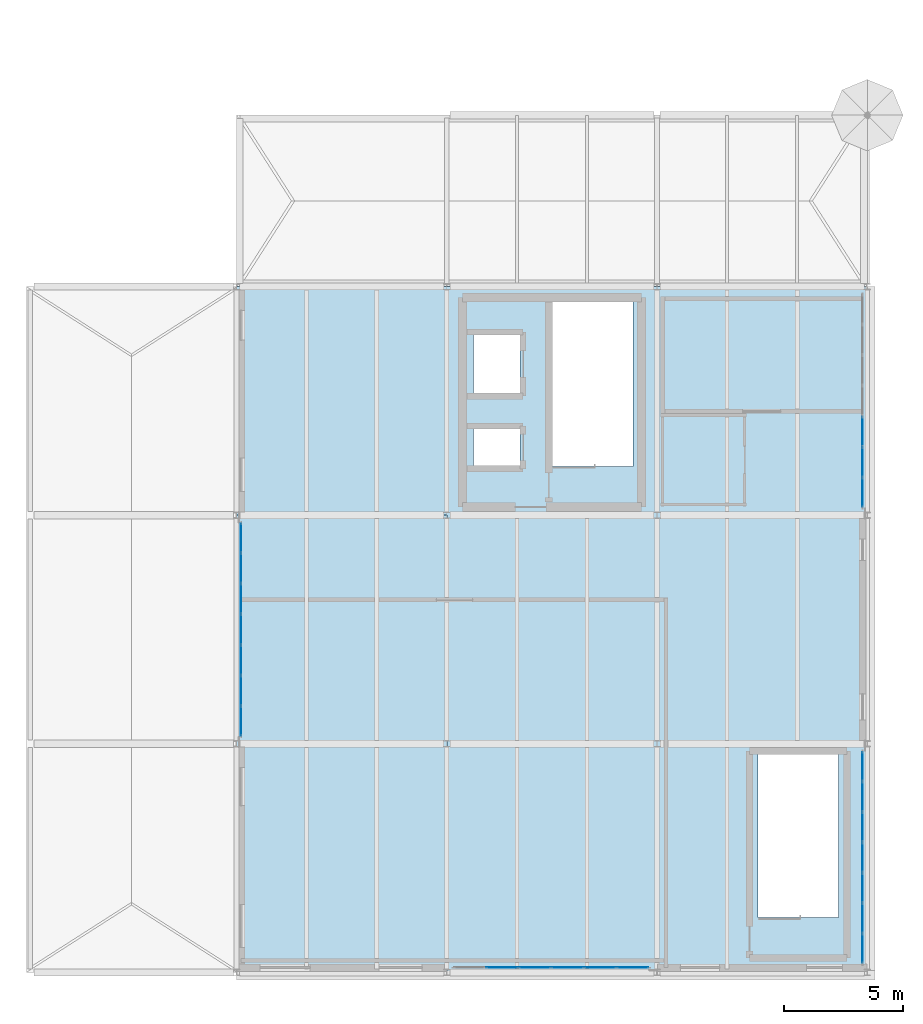
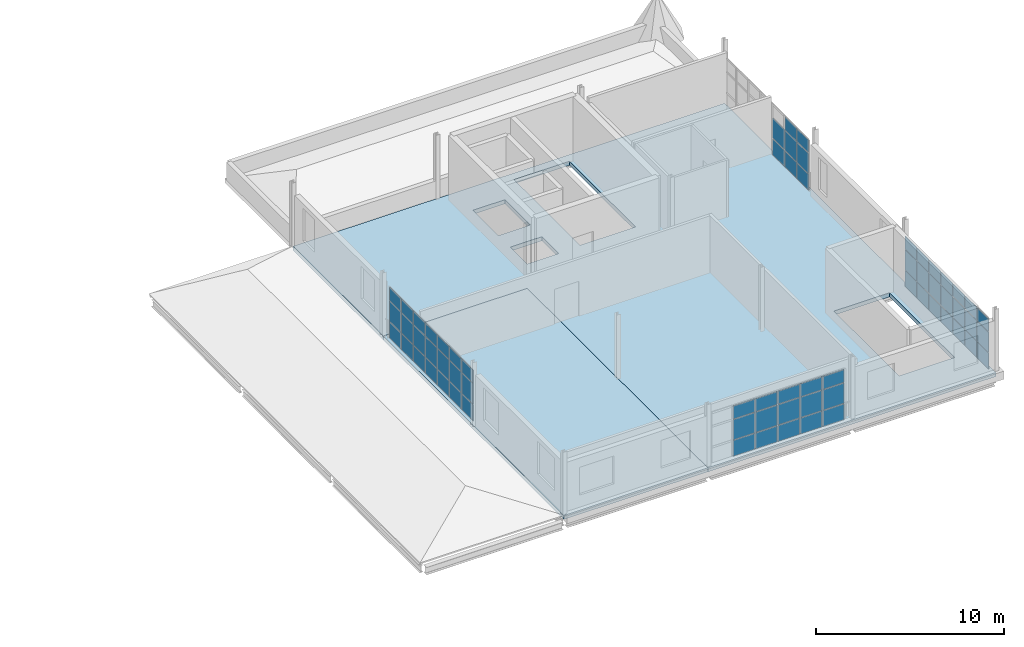
# One storey, part 19 of 28: 65 plates, 2 slabs, 4 elements without a shape of their own.
"""IFC4 building model written with IfcOpenShell, lengths in metres."""

from ifc_helpers import new_model, si_unit, direction, frame, origin, origin_2d, place, context, subcontext, project, spatial, polyline, rectangle, outline, extrude, material, layer, layer_set, type_object, element, aggregate, save


model = new_model("IFC4")

# Units and contexts
model_context = context("Model", 3, precision=1e-05, world=origin(), true_north=direction((0.0, 1.0)))
body_context = subcontext(model_context, "Body", "Model", "MODEL_VIEW")
ifc_project = project(units=[si_unit("LENGTHUNIT", "METRE"), si_unit("AREAUNIT", "SQUARE_METRE"), si_unit("VOLUMEUNIT", "CUBIC_METRE"), si_unit("PLANEANGLEUNIT", "RADIAN"), si_unit("MASSUNIT", "GRAM", prefix="KILO")], contexts=[model_context])

# Site, building, storey
site_placement = place(None, origin())
site = spatial("IfcSite", under=ifc_project, at=site_placement, CompositionType="ELEMENT")
building_placement = place(site_placement, origin())
building = spatial("IfcBuilding", under=site, at=building_placement, Name="Yeouljin Market Hall", CompositionType="ELEMENT")
storey_placement = place(building_placement, frame((0.0, 0.0, 15.0)))
storey = spatial("IfcBuildingStorey", under=building, at=storey_placement, Name="L03", CompositionType="ELEMENT", Elevation=15.0)

# Curtain wall, plates
ifc_material_1 = material(Name="Thermally Broken Aluminium", Category="aluminium")
ifc_layer_1 = layer(ifc_material_1, 0.14990234375)
ifc_layer_set_1 = layer_set([ifc_layer_1], Name="Thermally Broken Aluminium")
curtain_wall_type = type_object("IfcCurtainWallType", Name="CW_AcademyRibbon_System", PredefinedType="USERDEFINED", material=ifc_layer_set_1)
curtain_wall_1_placement = place(storey_placement, origin())
curtain_wall_1 = element("IfcCurtainWall", 1, at=curtain_wall_1_placement, inside=storey, type_object=curtain_wall_type, Name="Curtain wall CW-L03-W11", ObjectType="CURTAIN WALL", PredefinedType="USERDEFINED")
ifc_material_2 = material(Name="Low-E Insulated Glass", Category="glass")
ifc_layer_2 = layer(ifc_material_2, 0.028076171875)
ifc_layer_set_2 = layer_set([ifc_layer_2], Name="Low-E Insulated Glass")
plate_type = type_object("IfcPlateType", Name="CWPanel_LowE_28", PredefinedType="CURTAIN_PANEL", material=ifc_layer_set_2)
plate_1_placement = place(storey_placement, frame((166.550537109375, 0.199951171875, 0.0478515625), z_axis=(0.0, 0.0, 1.0), x_axis=(-1.0, 0.0, 0.0)))
plate_1 = element("IfcPlate", 2, at=plate_1_placement, type_object=plate_type, Name="CW-05 panel 1.1", PredefinedType="CURTAIN_PANEL", context=body_context, shape_type="SweptSolid", body=[
    extrude(rectangle(XDim=1.302978515625, YDim=0.028076171875, at=origin_2d()), origin(), (0.0, 0.0, 1.0), 1.028076171875),
])
plate_2_placement = place(storey_placement, frame((166.550537109375, 0.199951171875, 1.1240234375), z_axis=(0.0, 0.0, 1.0), x_axis=(-1.0, 0.0, 0.0)))
plate_2 = element("IfcPlate", 3, at=plate_2_placement, type_object=plate_type, Name="CW-05 panel 1.2", PredefinedType="CURTAIN_PANEL", context=body_context, shape_type="SweptSolid", body=[
    extrude(rectangle(XDim=1.302978515625, YDim=0.028076171875, at=origin_2d()), origin(), (0.0, 0.0, 1.0), 1.302001953125),
])
plate_3_placement = place(storey_placement, frame((166.550537109375, 0.199951171875, 2.47412109375), z_axis=(0.0, 0.0, 1.0), x_axis=(-1.0, 0.0, 0.0)))
plate_3 = element("IfcPlate", 4, at=plate_3_placement, type_object=plate_type, Name="CW-05 panel 1.3", PredefinedType="CURTAIN_PANEL", context=body_context, shape_type="SweptSolid", body=[
    extrude(rectangle(XDim=1.302978515625, YDim=0.028076171875, at=origin_2d()), origin(), (0.0, 0.0, 1.0), 0.827880859375),
])
plate_4_placement = place(storey_placement, frame((165.1875, 0.199951171875, 0.0478515625), z_axis=(0.0, 0.0, 1.0), x_axis=(-1.0, 0.0, 0.0)))
plate_4 = element("IfcPlate", 5, at=plate_4_placement, type_object=plate_type, Name="CW-05 panel 2.1", PredefinedType="CURTAIN_PANEL", context=body_context, shape_type="SweptSolid", body=[
    extrude(rectangle(XDim=1.326904296875, YDim=0.028076171875, at=origin_2d()), origin(), (0.0, 0.0, 1.0), 1.028076171875),
])
plate_5_placement = place(storey_placement, frame((165.1875, 0.199951171875, 1.1240234375), z_axis=(0.0, 0.0, 1.0), x_axis=(-1.0, 0.0, 0.0)))
plate_5 = element("IfcPlate", 6, at=plate_5_placement, type_object=plate_type, Name="CW-05 panel 2.2", PredefinedType="CURTAIN_PANEL", context=body_context, shape_type="SweptSolid", body=[
    extrude(rectangle(XDim=1.326904296875, YDim=0.028076171875, at=origin_2d()), origin(), (0.0, 0.0, 1.0), 1.302001953125),
])
plate_6_placement = place(storey_placement, frame((165.1875, 0.199951171875, 2.47412109375), z_axis=(0.0, 0.0, 1.0), x_axis=(-1.0, 0.0, 0.0)))
plate_6 = element("IfcPlate", 7, at=plate_6_placement, type_object=plate_type, Name="CW-05 panel 2.3", PredefinedType="CURTAIN_PANEL", context=body_context, shape_type="SweptSolid", body=[
    extrude(rectangle(XDim=1.326904296875, YDim=0.028076171875, at=origin_2d()), origin(), (0.0, 0.0, 1.0), 0.827880859375),
])
plate_7_placement = place(storey_placement, frame((163.8125, 0.199951171875, 0.0478515625), z_axis=(0.0, 0.0, 1.0), x_axis=(-1.0, 0.0, 0.0)))
plate_7 = element("IfcPlate", 8, at=plate_7_placement, type_object=plate_type, Name="CW-05 panel 3.1", PredefinedType="CURTAIN_PANEL", context=body_context, shape_type="SweptSolid", body=[
    extrude(rectangle(XDim=1.326904296875, YDim=0.028076171875, at=origin_2d()), origin(), (0.0, 0.0, 1.0), 1.028076171875),
])
plate_8_placement = place(storey_placement, frame((163.8125, 0.199951171875, 1.1240234375), z_axis=(0.0, 0.0, 1.0), x_axis=(-1.0, 0.0, 0.0)))
plate_8 = element("IfcPlate", 9, at=plate_8_placement, type_object=plate_type, Name="CW-05 panel 3.2", PredefinedType="CURTAIN_PANEL", context=body_context, shape_type="SweptSolid", body=[
    extrude(rectangle(XDim=1.326904296875, YDim=0.028076171875, at=origin_2d()), origin(), (0.0, 0.0, 1.0), 1.302001953125),
])
plate_9_placement = place(storey_placement, frame((163.8125, 0.199951171875, 2.47412109375), z_axis=(0.0, 0.0, 1.0), x_axis=(-1.0, 0.0, 0.0)))
plate_9 = element("IfcPlate", 10, at=plate_9_placement, type_object=plate_type, Name="CW-05 panel 3.3", PredefinedType="CURTAIN_PANEL", context=body_context, shape_type="SweptSolid", body=[
    extrude(rectangle(XDim=1.326904296875, YDim=0.028076171875, at=origin_2d()), origin(), (0.0, 0.0, 1.0), 0.827880859375),
])
plate_10_placement = place(storey_placement, frame((162.4375, 0.199951171875, 0.0478515625), z_axis=(0.0, 0.0, 1.0), x_axis=(-1.0, 0.0, 0.0)))
plate_10 = element("IfcPlate", 11, at=plate_10_placement, type_object=plate_type, Name="CW-05 panel 4.1", PredefinedType="CURTAIN_PANEL", context=body_context, shape_type="SweptSolid", body=[
    extrude(rectangle(XDim=1.326904296875, YDim=0.028076171875, at=origin_2d()), origin(), (0.0, 0.0, 1.0), 1.028076171875),
])
plate_11_placement = place(storey_placement, frame((162.4375, 0.199951171875, 1.1240234375), z_axis=(0.0, 0.0, 1.0), x_axis=(-1.0, 0.0, 0.0)))
plate_11 = element("IfcPlate", 12, at=plate_11_placement, type_object=plate_type, Name="CW-05 panel 4.2", PredefinedType="CURTAIN_PANEL", context=body_context, shape_type="SweptSolid", body=[
    extrude(rectangle(XDim=1.326904296875, YDim=0.028076171875, at=origin_2d()), origin(), (0.0, 0.0, 1.0), 1.302001953125),
])
plate_12_placement = place(storey_placement, frame((162.4375, 0.199951171875, 2.47412109375), z_axis=(0.0, 0.0, 1.0), x_axis=(-1.0, 0.0, 0.0)))
plate_12 = element("IfcPlate", 13, at=plate_12_placement, type_object=plate_type, Name="CW-05 panel 4.3", PredefinedType="CURTAIN_PANEL", context=body_context, shape_type="SweptSolid", body=[
    extrude(rectangle(XDim=1.326904296875, YDim=0.028076171875, at=origin_2d()), origin(), (0.0, 0.0, 1.0), 0.827880859375),
])
plate_13_placement = place(storey_placement, frame((161.0625, 0.199951171875, 0.0478515625), z_axis=(0.0, 0.0, 1.0), x_axis=(-1.0, 0.0, 0.0)))
plate_13 = element("IfcPlate", 14, at=plate_13_placement, type_object=plate_type, Name="CW-05 panel 5.1", PredefinedType="CURTAIN_PANEL", context=body_context, shape_type="SweptSolid", body=[
    extrude(rectangle(XDim=1.326904296875, YDim=0.028076171875, at=origin_2d()), origin(), (0.0, 0.0, 1.0), 1.028076171875),
])
plate_14_placement = place(storey_placement, frame((161.0625, 0.199951171875, 1.1240234375), z_axis=(0.0, 0.0, 1.0), x_axis=(-1.0, 0.0, 0.0)))
plate_14 = element("IfcPlate", 15, at=plate_14_placement, type_object=plate_type, Name="CW-05 panel 5.2", PredefinedType="CURTAIN_PANEL", context=body_context, shape_type="SweptSolid", body=[
    extrude(rectangle(XDim=1.326904296875, YDim=0.028076171875, at=origin_2d()), origin(), (0.0, 0.0, 1.0), 1.302001953125),
])
plate_15_placement = place(storey_placement, frame((161.0625, 0.199951171875, 2.47412109375), z_axis=(0.0, 0.0, 1.0), x_axis=(-1.0, 0.0, 0.0)))
plate_15 = element("IfcPlate", 16, at=plate_15_placement, type_object=plate_type, Name="CW-05 panel 5.3", PredefinedType="CURTAIN_PANEL", context=body_context, shape_type="SweptSolid", body=[
    extrude(rectangle(XDim=1.326904296875, YDim=0.028076171875, at=origin_2d()), origin(), (0.0, 0.0, 1.0), 0.827880859375),
])
aggregate(curtain_wall_1, [plate_1, plate_2, plate_3, plate_4, plate_5, plate_6, plate_7, plate_8, plate_9, plate_10, plate_11, plate_12, plate_13, plate_14, plate_15])

curtain_wall_2_placement = place(storey_placement, origin())
curtain_wall_2 = element("IfcCurtainWall", 17, at=curtain_wall_2_placement, inside=storey, type_object=curtain_wall_type, Name="Curtain wall CW-L03-W13", ObjectType="CURTAIN WALL", PredefinedType="USERDEFINED")
plate_16_placement = place(storey_placement, frame((176.199951171875, 22.71435546875, 0.0478515625), z_axis=(0.0, 0.0, 1.0), x_axis=(0.0, -1.0, 0.0)))
plate_16 = element("IfcPlate", 18, at=plate_16_placement, type_object=plate_type, Name="CW-05 panel 5.1", PredefinedType="CURTAIN_PANEL", context=body_context, shape_type="SweptSolid", body=[
    extrude(rectangle(XDim=1.23779296875, YDim=0.028076171875, at=origin_2d()), origin(), (0.0, 0.0, 1.0), 1.028076171875),
])
plate_17_placement = place(storey_placement, frame((176.199951171875, 22.71435546875, 1.1240234375), z_axis=(0.0, 0.0, 1.0), x_axis=(0.0, -1.0, 0.0)))
plate_17 = element("IfcPlate", 19, at=plate_17_placement, type_object=plate_type, Name="CW-05 panel 5.2", PredefinedType="CURTAIN_PANEL", context=body_context, shape_type="SweptSolid", body=[
    extrude(rectangle(XDim=1.23779296875, YDim=0.028076171875, at=origin_2d()), origin(), (0.0, 0.0, 1.0), 1.302001953125),
])
plate_18_placement = place(storey_placement, frame((176.199951171875, 21.428466796875, 0.0478515625), z_axis=(0.0, 0.0, 1.0), x_axis=(0.0, -1.0, 0.0)))
plate_18 = element("IfcPlate", 20, at=plate_18_placement, type_object=plate_type, Name="CW-05 panel 6.1", PredefinedType="CURTAIN_PANEL", context=body_context, shape_type="SweptSolid", body=[
    extrude(rectangle(XDim=1.23779296875, YDim=0.028076171875, at=origin_2d()), origin(), (0.0, 0.0, 1.0), 1.028076171875),
])
plate_19_placement = place(storey_placement, frame((176.199951171875, 21.428466796875, 1.1240234375), z_axis=(0.0, 0.0, 1.0), x_axis=(0.0, -1.0, 0.0)))
plate_19 = element("IfcPlate", 21, at=plate_19_placement, type_object=plate_type, Name="CW-05 panel 6.2", PredefinedType="CURTAIN_PANEL", context=body_context, shape_type="SweptSolid", body=[
    extrude(rectangle(XDim=1.23779296875, YDim=0.028076171875, at=origin_2d()), origin(), (0.0, 0.0, 1.0), 1.302001953125),
])
plate_20_placement = place(storey_placement, frame((176.199951171875, 21.428466796875, 2.47412109375), z_axis=(0.0, 0.0, 1.0), x_axis=(0.0, -1.0, 0.0)))
plate_20 = element("IfcPlate", 22, at=plate_20_placement, type_object=plate_type, Name="CW-05 panel 6.3", PredefinedType="CURTAIN_PANEL", context=body_context, shape_type="SweptSolid", body=[
    extrude(rectangle(XDim=1.23779296875, YDim=0.028076171875, at=origin_2d()), origin(), (0.0, 0.0, 1.0), 0.827880859375),
])
plate_21_placement = place(storey_placement, frame((176.199951171875, 20.15478515625, 0.0478515625), z_axis=(0.0, 0.0, 1.0), x_axis=(0.0, -1.0, 0.0)))
plate_21 = element("IfcPlate", 23, at=plate_21_placement, type_object=plate_type, Name="CW-05 panel 7.1", PredefinedType="CURTAIN_PANEL", context=body_context, shape_type="SweptSolid", body=[
    extrude(rectangle(XDim=1.213623046875, YDim=0.028076171875, at=origin_2d()), origin(), (0.0, 0.0, 1.0), 1.028076171875),
])
plate_22_placement = place(storey_placement, frame((176.199951171875, 20.15478515625, 1.1240234375), z_axis=(0.0, 0.0, 1.0), x_axis=(0.0, -1.0, 0.0)))
plate_22 = element("IfcPlate", 24, at=plate_22_placement, type_object=plate_type, Name="CW-05 panel 7.2", PredefinedType="CURTAIN_PANEL", context=body_context, shape_type="SweptSolid", body=[
    extrude(rectangle(XDim=1.213623046875, YDim=0.028076171875, at=origin_2d()), origin(), (0.0, 0.0, 1.0), 1.302001953125),
])
plate_23_placement = place(storey_placement, frame((176.199951171875, 20.15478515625, 2.47412109375), z_axis=(0.0, 0.0, 1.0), x_axis=(0.0, -1.0, 0.0)))
plate_23 = element("IfcPlate", 25, at=plate_23_placement, type_object=plate_type, Name="CW-05 panel 7.3", PredefinedType="CURTAIN_PANEL", context=body_context, shape_type="SweptSolid", body=[
    extrude(rectangle(XDim=1.213623046875, YDim=0.028076171875, at=origin_2d()), origin(), (0.0, 0.0, 1.0), 0.827880859375),
])
aggregate(curtain_wall_2, [plate_16, plate_17, plate_18, plate_19, plate_20, plate_21, plate_22, plate_23])

curtain_wall_3_placement = place(storey_placement, origin())
curtain_wall_3 = element("IfcCurtainWall", 26, at=curtain_wall_3_placement, inside=storey, type_object=curtain_wall_type, Name="Curtain wall CW-L03-W15", ObjectType="CURTAIN WALL", PredefinedType="USERDEFINED")
plate_24_placement = place(storey_placement, frame((176.199951171875, 8.648681640625, 0.0478515625), z_axis=(0.0, 0.0, 1.0), x_axis=(0.0, -1.0, 0.0)))
plate_24 = element("IfcPlate", 27, at=plate_24_placement, type_object=plate_type, Name="CW-05 panel 1.1", PredefinedType="CURTAIN_PANEL", context=body_context, shape_type="SweptSolid", body=[
    extrude(rectangle(XDim=1.20654296875, YDim=0.028076171875, at=origin_2d()), origin(), (0.0, 0.0, 1.0), 1.028076171875),
])
plate_25_placement = place(storey_placement, frame((176.199951171875, 8.648681640625, 1.1240234375), z_axis=(0.0, 0.0, 1.0), x_axis=(0.0, -1.0, 0.0)))
plate_25 = element("IfcPlate", 28, at=plate_25_placement, type_object=plate_type, Name="CW-05 panel 1.2", PredefinedType="CURTAIN_PANEL", context=body_context, shape_type="SweptSolid", body=[
    extrude(rectangle(XDim=1.20654296875, YDim=0.028076171875, at=origin_2d()), origin(), (0.0, 0.0, 1.0), 1.302001953125),
])
plate_26_placement = place(storey_placement, frame((176.199951171875, 8.648681640625, 2.47412109375), z_axis=(0.0, 0.0, 1.0), x_axis=(0.0, -1.0, 0.0)))
plate_26 = element("IfcPlate", 29, at=plate_26_placement, type_object=plate_type, Name="CW-05 panel 1.3", PredefinedType="CURTAIN_PANEL", context=body_context, shape_type="SweptSolid", body=[
    extrude(rectangle(XDim=1.20654296875, YDim=0.028076171875, at=origin_2d()), origin(), (0.0, 0.0, 1.0), 0.827880859375),
])
plate_27_placement = place(storey_placement, frame((176.199951171875, 7.382080078125, 0.0478515625), z_axis=(0.0, 0.0, 1.0), x_axis=(0.0, -1.0, 0.0)))
plate_27 = element("IfcPlate", 30, at=plate_27_placement, type_object=plate_type, Name="CW-05 panel 2.1", PredefinedType="CURTAIN_PANEL", context=body_context, shape_type="SweptSolid", body=[
    extrude(rectangle(XDim=1.23046875, YDim=0.028076171875, at=origin_2d()), origin(), (0.0, 0.0, 1.0), 1.028076171875),
])
plate_28_placement = place(storey_placement, frame((176.199951171875, 7.382080078125, 1.1240234375), z_axis=(0.0, 0.0, 1.0), x_axis=(0.0, -1.0, 0.0)))
plate_28 = element("IfcPlate", 31, at=plate_28_placement, type_object=plate_type, Name="CW-05 panel 2.2", PredefinedType="CURTAIN_PANEL", context=body_context, shape_type="SweptSolid", body=[
    extrude(rectangle(XDim=1.23046875, YDim=0.028076171875, at=origin_2d()), origin(), (0.0, 0.0, 1.0), 1.302001953125),
])
plate_29_placement = place(storey_placement, frame((176.199951171875, 7.382080078125, 2.47412109375), z_axis=(0.0, 0.0, 1.0), x_axis=(0.0, -1.0, 0.0)))
plate_29 = element("IfcPlate", 32, at=plate_29_placement, type_object=plate_type, Name="CW-05 panel 2.3", PredefinedType="CURTAIN_PANEL", context=body_context, shape_type="SweptSolid", body=[
    extrude(rectangle(XDim=1.23046875, YDim=0.028076171875, at=origin_2d()), origin(), (0.0, 0.0, 1.0), 0.827880859375),
])
plate_30_placement = place(storey_placement, frame((176.199951171875, 6.103515625, 0.0478515625), z_axis=(0.0, 0.0, 1.0), x_axis=(0.0, -1.0, 0.0)))
plate_30 = element("IfcPlate", 33, at=plate_30_placement, type_object=plate_type, Name="CW-05 panel 3.1", PredefinedType="CURTAIN_PANEL", context=body_context, shape_type="SweptSolid", body=[
    extrude(rectangle(XDim=1.23046875, YDim=0.028076171875, at=origin_2d()), origin(), (0.0, 0.0, 1.0), 1.028076171875),
])
plate_31_placement = place(storey_placement, frame((176.199951171875, 6.103515625, 1.1240234375), z_axis=(0.0, 0.0, 1.0), x_axis=(0.0, -1.0, 0.0)))
plate_31 = element("IfcPlate", 34, at=plate_31_placement, type_object=plate_type, Name="CW-05 panel 3.2", PredefinedType="CURTAIN_PANEL", context=body_context, shape_type="SweptSolid", body=[
    extrude(rectangle(XDim=1.23046875, YDim=0.028076171875, at=origin_2d()), origin(), (0.0, 0.0, 1.0), 1.302001953125),
])
plate_32_placement = place(storey_placement, frame((176.199951171875, 6.103515625, 2.47412109375), z_axis=(0.0, 0.0, 1.0), x_axis=(0.0, -1.0, 0.0)))
plate_32 = element("IfcPlate", 35, at=plate_32_placement, type_object=plate_type, Name="CW-05 panel 3.3", PredefinedType="CURTAIN_PANEL", context=body_context, shape_type="SweptSolid", body=[
    extrude(rectangle(XDim=1.23046875, YDim=0.028076171875, at=origin_2d()), origin(), (0.0, 0.0, 1.0), 0.827880859375),
])
plate_33_placement = place(storey_placement, frame((176.199951171875, 4.824951171875, 0.0478515625), z_axis=(0.0, 0.0, 1.0), x_axis=(0.0, -1.0, 0.0)))
plate_33 = element("IfcPlate", 36, at=plate_33_placement, type_object=plate_type, Name="CW-05 panel 4.1", PredefinedType="CURTAIN_PANEL", context=body_context, shape_type="SweptSolid", body=[
    extrude(rectangle(XDim=1.23046875, YDim=0.028076171875, at=origin_2d()), origin(), (0.0, 0.0, 1.0), 1.028076171875),
])
plate_34_placement = place(storey_placement, frame((176.199951171875, 4.824951171875, 1.1240234375), z_axis=(0.0, 0.0, 1.0), x_axis=(0.0, -1.0, 0.0)))
plate_34 = element("IfcPlate", 37, at=plate_34_placement, type_object=plate_type, Name="CW-05 panel 4.2", PredefinedType="CURTAIN_PANEL", context=body_context, shape_type="SweptSolid", body=[
    extrude(rectangle(XDim=1.23046875, YDim=0.028076171875, at=origin_2d()), origin(), (0.0, 0.0, 1.0), 1.302001953125),
])
plate_35_placement = place(storey_placement, frame((176.199951171875, 4.824951171875, 2.47412109375), z_axis=(0.0, 0.0, 1.0), x_axis=(0.0, -1.0, 0.0)))
plate_35 = element("IfcPlate", 38, at=plate_35_placement, type_object=plate_type, Name="CW-05 panel 4.3", PredefinedType="CURTAIN_PANEL", context=body_context, shape_type="SweptSolid", body=[
    extrude(rectangle(XDim=1.23046875, YDim=0.028076171875, at=origin_2d()), origin(), (0.0, 0.0, 1.0), 0.827880859375),
])
plate_36_placement = place(storey_placement, frame((176.199951171875, 3.54638671875, 0.0478515625), z_axis=(0.0, 0.0, 1.0), x_axis=(0.0, -1.0, 0.0)))
plate_36 = element("IfcPlate", 39, at=plate_36_placement, type_object=plate_type, Name="CW-05 panel 5.1", PredefinedType="CURTAIN_PANEL", context=body_context, shape_type="SweptSolid", body=[
    extrude(rectangle(XDim=1.23046875, YDim=0.028076171875, at=origin_2d()), origin(), (0.0, 0.0, 1.0), 1.028076171875),
])
plate_37_placement = place(storey_placement, frame((176.199951171875, 3.54638671875, 1.1240234375), z_axis=(0.0, 0.0, 1.0), x_axis=(0.0, -1.0, 0.0)))
plate_37 = element("IfcPlate", 40, at=plate_37_placement, type_object=plate_type, Name="CW-05 panel 5.2", PredefinedType="CURTAIN_PANEL", context=body_context, shape_type="SweptSolid", body=[
    extrude(rectangle(XDim=1.23046875, YDim=0.028076171875, at=origin_2d()), origin(), (0.0, 0.0, 1.0), 1.302001953125),
])
plate_38_placement = place(storey_placement, frame((176.199951171875, 3.54638671875, 2.47412109375), z_axis=(0.0, 0.0, 1.0), x_axis=(0.0, -1.0, 0.0)))
plate_38 = element("IfcPlate", 41, at=plate_38_placement, type_object=plate_type, Name="CW-05 panel 5.3", PredefinedType="CURTAIN_PANEL", context=body_context, shape_type="SweptSolid", body=[
    extrude(rectangle(XDim=1.23046875, YDim=0.028076171875, at=origin_2d()), origin(), (0.0, 0.0, 1.0), 0.827880859375),
])
plate_39_placement = place(storey_placement, frame((176.199951171875, 2.267822265625, 0.0478515625), z_axis=(0.0, 0.0, 1.0), x_axis=(0.0, -1.0, 0.0)))
plate_39 = element("IfcPlate", 42, at=plate_39_placement, type_object=plate_type, Name="CW-05 panel 6.1", PredefinedType="CURTAIN_PANEL", context=body_context, shape_type="SweptSolid", body=[
    extrude(rectangle(XDim=1.23046875, YDim=0.028076171875, at=origin_2d()), origin(), (0.0, 0.0, 1.0), 1.028076171875),
])
plate_40_placement = place(storey_placement, frame((176.199951171875, 2.267822265625, 1.1240234375), z_axis=(0.0, 0.0, 1.0), x_axis=(0.0, -1.0, 0.0)))
plate_40 = element("IfcPlate", 43, at=plate_40_placement, type_object=plate_type, Name="CW-05 panel 6.2", PredefinedType="CURTAIN_PANEL", context=body_context, shape_type="SweptSolid", body=[
    extrude(rectangle(XDim=1.23046875, YDim=0.028076171875, at=origin_2d()), origin(), (0.0, 0.0, 1.0), 1.302001953125),
])
plate_41_placement = place(storey_placement, frame((176.199951171875, 2.267822265625, 2.47412109375), z_axis=(0.0, 0.0, 1.0), x_axis=(0.0, -1.0, 0.0)))
plate_41 = element("IfcPlate", 44, at=plate_41_placement, type_object=plate_type, Name="CW-05 panel 6.3", PredefinedType="CURTAIN_PANEL", context=body_context, shape_type="SweptSolid", body=[
    extrude(rectangle(XDim=1.23046875, YDim=0.028076171875, at=origin_2d()), origin(), (0.0, 0.0, 1.0), 0.827880859375),
])
plate_42_placement = place(storey_placement, frame((176.199951171875, 1.001220703125, 0.0478515625), z_axis=(0.0, 0.0, 1.0), x_axis=(0.0, -1.0, 0.0)))
plate_42 = element("IfcPlate", 45, at=plate_42_placement, type_object=plate_type, Name="CW-05 panel 7.1", PredefinedType="CURTAIN_PANEL", context=body_context, shape_type="SweptSolid", body=[
    extrude(rectangle(XDim=1.20654296875, YDim=0.028076171875, at=origin_2d()), origin(), (0.0, 0.0, 1.0), 1.028076171875),
])
plate_43_placement = place(storey_placement, frame((176.199951171875, 1.001220703125, 1.1240234375), z_axis=(0.0, 0.0, 1.0), x_axis=(0.0, -1.0, 0.0)))
plate_43 = element("IfcPlate", 46, at=plate_43_placement, type_object=plate_type, Name="CW-05 panel 7.2", PredefinedType="CURTAIN_PANEL", context=body_context, shape_type="SweptSolid", body=[
    extrude(rectangle(XDim=1.20654296875, YDim=0.028076171875, at=origin_2d()), origin(), (0.0, 0.0, 1.0), 1.302001953125),
])
plate_44_placement = place(storey_placement, frame((176.199951171875, 1.001220703125, 2.47412109375), z_axis=(0.0, 0.0, 1.0), x_axis=(0.0, -1.0, 0.0)))
plate_44 = element("IfcPlate", 47, at=plate_44_placement, type_object=plate_type, Name="CW-05 panel 7.3", PredefinedType="CURTAIN_PANEL", context=body_context, shape_type="SweptSolid", body=[
    extrude(rectangle(XDim=1.20654296875, YDim=0.028076171875, at=origin_2d()), origin(), (0.0, 0.0, 1.0), 0.827880859375),
])
aggregate(curtain_wall_3, [plate_24, plate_25, plate_26, plate_27, plate_28, plate_29, plate_30, plate_31, plate_32, plate_33, plate_34, plate_35, plate_36, plate_37, plate_38, plate_39, plate_40, plate_41, plate_42, plate_43, plate_44])

curtain_wall_4_placement = place(storey_placement, origin())
curtain_wall_4 = element("IfcCurtainWall", 48, at=curtain_wall_4_placement, inside=storey, type_object=curtain_wall_type, Name="Curtain wall CW-L03-W17", ObjectType="CURTAIN WALL", PredefinedType="USERDEFINED")
plate_45_placement = place(storey_placement, frame((150.10009765625, 18.2451171875, 0.0478515625), z_axis=(0.0, 0.0, 1.0), x_axis=(0.0, -1.0, 0.0)))
plate_45 = element("IfcPlate", 49, at=plate_45_placement, type_object=plate_type, Name="CW-05 panel 1.1", PredefinedType="CURTAIN_PANEL", context=body_context, shape_type="SweptSolid", body=[
    extrude(rectangle(XDim=1.213623046875, YDim=0.028076171875, at=origin_2d()), origin(), (0.0, 0.0, 1.0), 1.028076171875),
])
plate_46_placement = place(storey_placement, frame((150.10009765625, 18.2451171875, 1.1240234375), z_axis=(0.0, 0.0, 1.0), x_axis=(0.0, -1.0, 0.0)))
plate_46 = element("IfcPlate", 50, at=plate_46_placement, type_object=plate_type, Name="CW-05 panel 1.2", PredefinedType="CURTAIN_PANEL", context=body_context, shape_type="SweptSolid", body=[
    extrude(rectangle(XDim=1.213623046875, YDim=0.028076171875, at=origin_2d()), origin(), (0.0, 0.0, 1.0), 1.302001953125),
])
plate_47_placement = place(storey_placement, frame((150.10009765625, 18.2451171875, 2.47412109375), z_axis=(0.0, 0.0, 1.0), x_axis=(0.0, -1.0, 0.0)))
plate_47 = element("IfcPlate", 51, at=plate_47_placement, type_object=plate_type, Name="CW-05 panel 1.3", PredefinedType="CURTAIN_PANEL", context=body_context, shape_type="SweptSolid", body=[
    extrude(rectangle(XDim=1.213623046875, YDim=0.028076171875, at=origin_2d()), origin(), (0.0, 0.0, 1.0), 0.827880859375),
])
plate_48_placement = place(storey_placement, frame((150.10009765625, 16.971435546875, 0.0478515625), z_axis=(0.0, 0.0, 1.0), x_axis=(0.0, -1.0, 0.0)))
plate_48 = element("IfcPlate", 52, at=plate_48_placement, type_object=plate_type, Name="CW-05 panel 2.1", PredefinedType="CURTAIN_PANEL", context=body_context, shape_type="SweptSolid", body=[
    extrude(rectangle(XDim=1.23779296875, YDim=0.028076171875, at=origin_2d()), origin(), (0.0, 0.0, 1.0), 1.028076171875),
])
plate_49_placement = place(storey_placement, frame((150.10009765625, 16.971435546875, 1.1240234375), z_axis=(0.0, 0.0, 1.0), x_axis=(0.0, -1.0, 0.0)))
plate_49 = element("IfcPlate", 53, at=plate_49_placement, type_object=plate_type, Name="CW-05 panel 2.2", PredefinedType="CURTAIN_PANEL", context=body_context, shape_type="SweptSolid", body=[
    extrude(rectangle(XDim=1.23779296875, YDim=0.028076171875, at=origin_2d()), origin(), (0.0, 0.0, 1.0), 1.302001953125),
])
plate_50_placement = place(storey_placement, frame((150.10009765625, 16.971435546875, 2.47412109375), z_axis=(0.0, 0.0, 1.0), x_axis=(0.0, -1.0, 0.0)))
plate_50 = element("IfcPlate", 54, at=plate_50_placement, type_object=plate_type, Name="CW-05 panel 2.3", PredefinedType="CURTAIN_PANEL", context=body_context, shape_type="SweptSolid", body=[
    extrude(rectangle(XDim=1.23779296875, YDim=0.028076171875, at=origin_2d()), origin(), (0.0, 0.0, 1.0), 0.827880859375),
])
plate_51_placement = place(storey_placement, frame((150.10009765625, 15.685791015625, 0.0478515625), z_axis=(0.0, 0.0, 1.0), x_axis=(0.0, -1.0, 0.0)))
plate_51 = element("IfcPlate", 55, at=plate_51_placement, type_object=plate_type, Name="CW-05 panel 3.1", PredefinedType="CURTAIN_PANEL", context=body_context, shape_type="SweptSolid", body=[
    extrude(rectangle(XDim=1.23779296875, YDim=0.028076171875, at=origin_2d()), origin(), (0.0, 0.0, 1.0), 1.028076171875),
])
plate_52_placement = place(storey_placement, frame((150.10009765625, 15.685791015625, 1.1240234375), z_axis=(0.0, 0.0, 1.0), x_axis=(0.0, -1.0, 0.0)))
plate_52 = element("IfcPlate", 56, at=plate_52_placement, type_object=plate_type, Name="CW-05 panel 3.2", PredefinedType="CURTAIN_PANEL", context=body_context, shape_type="SweptSolid", body=[
    extrude(rectangle(XDim=1.23779296875, YDim=0.028076171875, at=origin_2d()), origin(), (0.0, 0.0, 1.0), 1.302001953125),
])
plate_53_placement = place(storey_placement, frame((150.10009765625, 15.685791015625, 2.47412109375), z_axis=(0.0, 0.0, 1.0), x_axis=(0.0, -1.0, 0.0)))
plate_53 = element("IfcPlate", 57, at=plate_53_placement, type_object=plate_type, Name="CW-05 panel 3.3", PredefinedType="CURTAIN_PANEL", context=body_context, shape_type="SweptSolid", body=[
    extrude(rectangle(XDim=1.23779296875, YDim=0.028076171875, at=origin_2d()), origin(), (0.0, 0.0, 1.0), 0.827880859375),
])
plate_54_placement = place(storey_placement, frame((150.10009765625, 14.39990234375, 0.0478515625), z_axis=(0.0, 0.0, 1.0), x_axis=(0.0, -1.0, 0.0)))
plate_54 = element("IfcPlate", 58, at=plate_54_placement, type_object=plate_type, Name="CW-05 panel 4.1", PredefinedType="CURTAIN_PANEL", context=body_context, shape_type="SweptSolid", body=[
    extrude(rectangle(XDim=1.23779296875, YDim=0.028076171875, at=origin_2d()), origin(), (0.0, 0.0, 1.0), 1.028076171875),
])
plate_55_placement = place(storey_placement, frame((150.10009765625, 14.39990234375, 1.1240234375), z_axis=(0.0, 0.0, 1.0), x_axis=(0.0, -1.0, 0.0)))
plate_55 = element("IfcPlate", 59, at=plate_55_placement, type_object=plate_type, Name="CW-05 panel 4.2", PredefinedType="CURTAIN_PANEL", context=body_context, shape_type="SweptSolid", body=[
    extrude(rectangle(XDim=1.23779296875, YDim=0.028076171875, at=origin_2d()), origin(), (0.0, 0.0, 1.0), 1.302001953125),
])
plate_56_placement = place(storey_placement, frame((150.10009765625, 14.39990234375, 2.47412109375), z_axis=(0.0, 0.0, 1.0), x_axis=(0.0, -1.0, 0.0)))
plate_56 = element("IfcPlate", 60, at=plate_56_placement, type_object=plate_type, Name="CW-05 panel 4.3", PredefinedType="CURTAIN_PANEL", context=body_context, shape_type="SweptSolid", body=[
    extrude(rectangle(XDim=1.23779296875, YDim=0.028076171875, at=origin_2d()), origin(), (0.0, 0.0, 1.0), 0.827880859375),
])
plate_57_placement = place(storey_placement, frame((150.10009765625, 13.1142578125, 0.0478515625), z_axis=(0.0, 0.0, 1.0), x_axis=(0.0, -1.0, 0.0)))
plate_57 = element("IfcPlate", 61, at=plate_57_placement, type_object=plate_type, Name="CW-05 panel 5.1", PredefinedType="CURTAIN_PANEL", context=body_context, shape_type="SweptSolid", body=[
    extrude(rectangle(XDim=1.23779296875, YDim=0.028076171875, at=origin_2d()), origin(), (0.0, 0.0, 1.0), 1.028076171875),
])
plate_58_placement = place(storey_placement, frame((150.10009765625, 13.1142578125, 1.1240234375), z_axis=(0.0, 0.0, 1.0), x_axis=(0.0, -1.0, 0.0)))
plate_58 = element("IfcPlate", 62, at=plate_58_placement, type_object=plate_type, Name="CW-05 panel 5.2", PredefinedType="CURTAIN_PANEL", context=body_context, shape_type="SweptSolid", body=[
    extrude(rectangle(XDim=1.23779296875, YDim=0.028076171875, at=origin_2d()), origin(), (0.0, 0.0, 1.0), 1.302001953125),
])
plate_59_placement = place(storey_placement, frame((150.10009765625, 13.1142578125, 2.47412109375), z_axis=(0.0, 0.0, 1.0), x_axis=(0.0, -1.0, 0.0)))
plate_59 = element("IfcPlate", 63, at=plate_59_placement, type_object=plate_type, Name="CW-05 panel 5.3", PredefinedType="CURTAIN_PANEL", context=body_context, shape_type="SweptSolid", body=[
    extrude(rectangle(XDim=1.23779296875, YDim=0.028076171875, at=origin_2d()), origin(), (0.0, 0.0, 1.0), 0.827880859375),
])
plate_60_placement = place(storey_placement, frame((150.10009765625, 11.82861328125, 0.0478515625), z_axis=(0.0, 0.0, 1.0), x_axis=(0.0, -1.0, 0.0)))
plate_60 = element("IfcPlate", 64, at=plate_60_placement, type_object=plate_type, Name="CW-05 panel 6.1", PredefinedType="CURTAIN_PANEL", context=body_context, shape_type="SweptSolid", body=[
    extrude(rectangle(XDim=1.23779296875, YDim=0.028076171875, at=origin_2d()), origin(), (0.0, 0.0, 1.0), 1.028076171875),
])
plate_61_placement = place(storey_placement, frame((150.10009765625, 11.82861328125, 1.1240234375), z_axis=(0.0, 0.0, 1.0), x_axis=(0.0, -1.0, 0.0)))
plate_61 = element("IfcPlate", 65, at=plate_61_placement, type_object=plate_type, Name="CW-05 panel 6.2", PredefinedType="CURTAIN_PANEL", context=body_context, shape_type="SweptSolid", body=[
    extrude(rectangle(XDim=1.23779296875, YDim=0.028076171875, at=origin_2d()), origin(), (0.0, 0.0, 1.0), 1.302001953125),
])
plate_62_placement = place(storey_placement, frame((150.10009765625, 11.82861328125, 2.47412109375), z_axis=(0.0, 0.0, 1.0), x_axis=(0.0, -1.0, 0.0)))
plate_62 = element("IfcPlate", 66, at=plate_62_placement, type_object=plate_type, Name="CW-05 panel 6.3", PredefinedType="CURTAIN_PANEL", context=body_context, shape_type="SweptSolid", body=[
    extrude(rectangle(XDim=1.23779296875, YDim=0.028076171875, at=origin_2d()), origin(), (0.0, 0.0, 1.0), 0.827880859375),
])
plate_63_placement = place(storey_placement, frame((150.10009765625, 10.554931640625, 0.0478515625), z_axis=(0.0, 0.0, 1.0), x_axis=(0.0, -1.0, 0.0)))
plate_63 = element("IfcPlate", 67, at=plate_63_placement, type_object=plate_type, Name="CW-05 panel 7.1", PredefinedType="CURTAIN_PANEL", context=body_context, shape_type="SweptSolid", body=[
    extrude(rectangle(XDim=1.213623046875, YDim=0.028076171875, at=origin_2d()), origin(), (0.0, 0.0, 1.0), 1.028076171875),
])
plate_64_placement = place(storey_placement, frame((150.10009765625, 10.554931640625, 1.1240234375), z_axis=(0.0, 0.0, 1.0), x_axis=(0.0, -1.0, 0.0)))
plate_64 = element("IfcPlate", 68, at=plate_64_placement, type_object=plate_type, Name="CW-05 panel 7.2", PredefinedType="CURTAIN_PANEL", context=body_context, shape_type="SweptSolid", body=[
    extrude(rectangle(XDim=1.213623046875, YDim=0.028076171875, at=origin_2d()), origin(), (0.0, 0.0, 1.0), 1.302001953125),
])
plate_65_placement = place(storey_placement, frame((150.10009765625, 10.554931640625, 2.47412109375), z_axis=(0.0, 0.0, 1.0), x_axis=(0.0, -1.0, 0.0)))
plate_65 = element("IfcPlate", 69, at=plate_65_placement, type_object=plate_type, Name="CW-05 panel 7.3", PredefinedType="CURTAIN_PANEL", context=body_context, shape_type="SweptSolid", body=[
    extrude(rectangle(XDim=1.213623046875, YDim=0.028076171875, at=origin_2d()), origin(), (0.0, 0.0, 1.0), 0.827880859375),
])
aggregate(curtain_wall_4, [plate_45, plate_46, plate_47, plate_48, plate_49, plate_50, plate_51, plate_52, plate_53, plate_54, plate_55, plate_56, plate_57, plate_58, plate_59, plate_60, plate_61, plate_62, plate_63, plate_64, plate_65])

# Slabs
ifc_material_3 = material(Name="Concrete C30/37", Category="concrete")
ifc_layer_3 = layer(ifc_material_3, 0.2548828125)
ifc_layer_set_3 = layer_set([ifc_layer_3], Name="Concrete C30/37")
slab_type_1 = type_object("IfcSlabType", Name="SLB_WING_210", PredefinedType="FLOOR", material=ifc_layer_set_3)
slab_1_placement = place(storey_placement, frame((0.0, 0.0, -0.2548828125)))
element("IfcSlab", 70, at=slab_1_placement, inside=storey, type_object=slab_type_1, Name="Structural slab SLB-L03-ESB", PredefinedType="FLOOR", context=body_context, shape_type="SweptSolid", body=[
    extrude(outline(polyline([(149.909912109375, 0.0), (158.739990234375, 0.0), (158.739990234375, 19.199951171875), (149.909912109375, 19.199951171875), (149.909912109375, 0.0)])), origin(), (0.0, 0.0, 1.0), 0.2548828125),
])
ifc_material_4 = material(Name="Concrete C30/37", Category="concrete")
ifc_layer_4 = layer(ifc_material_4, 0.264892578125)
ifc_layer_set_4 = layer_set([ifc_layer_4], Name="Concrete C30/37")
slab_type_2 = type_object("IfcSlabType", Name="SLB_WING_220", PredefinedType="FLOOR", material=ifc_layer_set_4)
slab_2_placement = place(storey_placement, frame((0.0, 0.0, -0.264892578125)))
element("IfcSlab", 71, at=slab_2_placement, inside=storey, type_object=slab_type_2, Name="Structural slab SLB-L03-ES", PredefinedType="FLOOR", context=body_context, shape_type="SweptSolid", body=[
    extrude(outline(polyline([(158.739990234375, 0.0), (176.39990234375, 0.0), (176.39990234375, 28.800048828125), (149.909912109375, 28.800048828125), (149.909912109375, 19.199951171875), (158.739990234375, 19.199951171875), (158.739990234375, 0.0)]), holes=[polyline([(163.169921875, 21.25), (166.570068359375, 21.25), (166.570068359375, 28.27001953125), (163.169921875, 28.27001953125), (163.169921875, 21.25)]), polyline([(171.800048828125, 2.300048828125), (175.199951171875, 2.300048828125), (175.199951171875, 9.219970703125), (171.800048828125, 9.219970703125), (171.800048828125, 2.300048828125)]), polyline([(159.864990234375, 21.14990234375), (161.81494140625, 21.14990234375), (161.81494140625, 22.949951171875), (159.864990234375, 22.949951171875), (159.864990234375, 21.14990234375)]), polyline([(159.864990234375, 24.199951171875), (161.81494140625, 24.199951171875), (161.81494140625, 26.89990234375), (159.864990234375, 26.89990234375), (159.864990234375, 24.199951171875)])]), origin(), (0.0, 0.0, 1.0), 0.264892578125),
])

save(model, "model.ifc")
